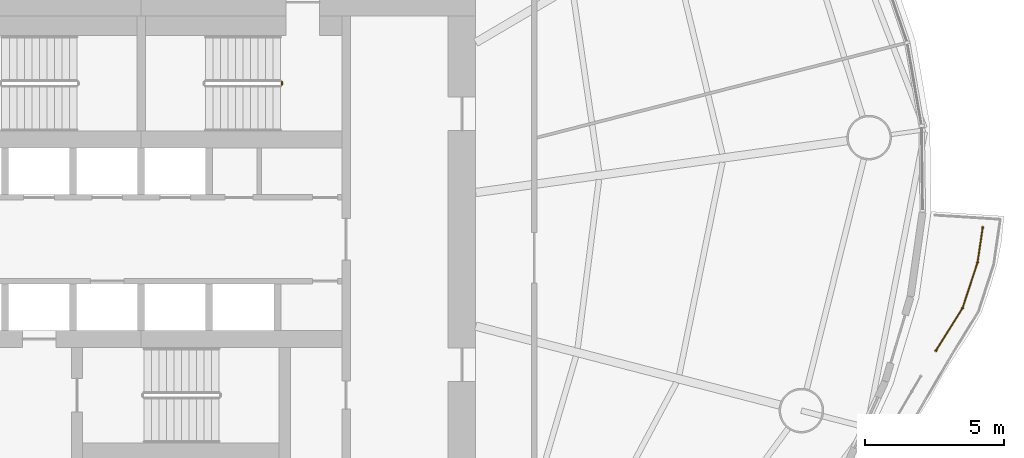
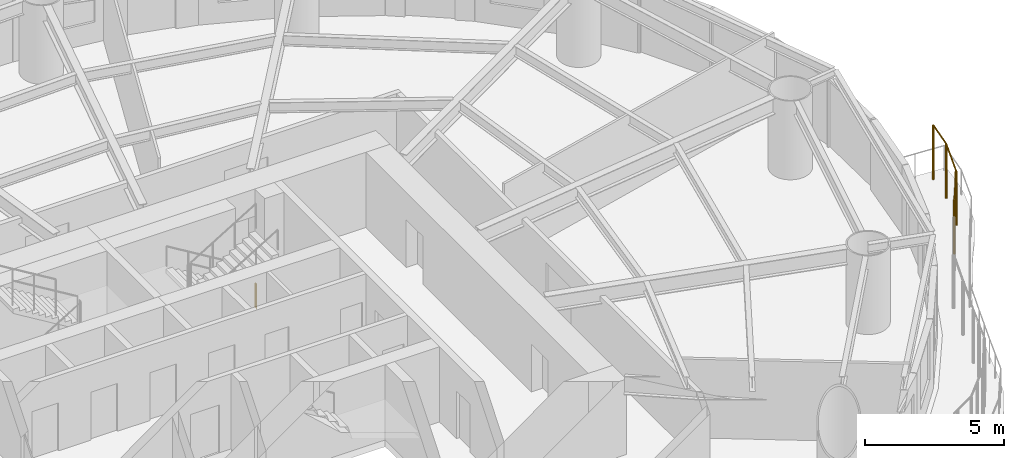
# One storey, part 15 of 17: 2 railings.
"""IFC4 building model written with IfcOpenShell, lengths in metres."""

import ifcopenshell
import ifcopenshell.guid

model = None  # the IFC model being written
_history = None  # IfcOwnerHistory: only IFC2X3 demands one
_inside = {}  # id of a spatial element -> (the spatial element, [elements in it])
_under = {}  # id of a project, library or spatial element -> (it, [spatial elements below it])
_declared = {}  # id of a project -> (the project, [libraries it declares])
_typed = {}  # id of a type object -> (the type object, [elements of that type])
_made_of = {}  # id of a material, layer set ... -> (it, [elements and type objects made of it])


def new_model(schema):
    """Start an empty IFC model of exactly this schema.

    Asked for "IFC4X3", IfcOpenShell would pick the latest addendum, in which some entities
    have other attributes; the version numbers below select the first issue.
    IFC2X3 requires an IfcOwnerHistory on every rooted entity: one is made here for all.
    """
    global model, _history
    if schema == "IFC4X3":
        model = ifcopenshell.file(schema_version=(4, 3, 0, 0))
    else:
        model = ifcopenshell.file(schema=schema)
    _inside.clear()
    _under.clear()
    _declared.clear()
    _typed.clear()
    _made_of.clear()
    _history = None
    if model.schema == "IFC2X3":
        org = make("IfcOrganization", Name="unknown")
        user = make(
            "IfcPersonAndOrganization",
            ThePerson=make("IfcPerson", FamilyName="unknown"),
            TheOrganization=org,
        )
        app = make(
            "IfcApplication",
            ApplicationDeveloper=org,
            Version="unknown",
            ApplicationFullName="unknown",
            ApplicationIdentifier="unknown",
        )
        _history = make(
            "IfcOwnerHistory",
            OwningUser=user,
            OwningApplication=app,
            ChangeAction="ADDED",
            CreationDate=0,
        )
    return model


def make(cls, **values):
    """One entity of the class cls with the attributes given. An attribute that is None is left unset."""
    return model.create_entity(
        cls, **{name: value for name, value in values.items() if value is not None}
    )


def rooted(cls, **values):
    """An entity with a GlobalId (a new one), such as an element, a storey or a relation."""
    return make(cls, GlobalId=ifcopenshell.guid.new(), OwnerHistory=_history, **values)


def si_unit(unit_type, name, prefix=None):
    """IfcSIUnit, for example si_unit("LENGTHUNIT", "METRE", prefix="MILLI")."""
    return make("IfcSIUnit", UnitType=unit_type, Prefix=prefix, Name=name)


def assignment(units):
    """IfcUnitAssignment: the units of a project."""
    return None if units is None else make("IfcUnitAssignment", Units=units)


def point(xyz):
    """IfcCartesianPoint."""
    return None if xyz is None else make("IfcCartesianPoint", Coordinates=xyz)


def direction(xyz):
    """IfcDirection."""
    return None if xyz is None else make("IfcDirection", DirectionRatios=xyz)


def frame(location, z_axis=None, x_axis=None):
    """IfcAxis2Placement3D, a coordinate frame: its origin and axes. An axis left out is left unset."""
    return make(
        "IfcAxis2Placement3D",
        Location=point(location),
        Axis=direction(z_axis),
        RefDirection=direction(x_axis),
    )


def frame_2d(location, x_axis=None):
    """IfcAxis2Placement2D, a coordinate frame in the plane: its origin and x axis."""
    return make(
        "IfcAxis2Placement2D", Location=point(location), RefDirection=direction(x_axis)
    )


def origin():
    """The frame at (0, 0, 0) with its axes left unset."""
    return frame((0.0, 0.0, 0.0))


def origin_2d():
    """The frame at (0, 0) in the plane with its x axis left unset."""
    return frame_2d((0.0, 0.0))


def place(relative_to, where):
    """IfcLocalPlacement: puts the frame where relative to a parent placement (None: the world)."""
    return make(
        "IfcLocalPlacement", PlacementRelTo=relative_to, RelativePlacement=where
    )


def context(
    kind, dimensions, precision=None, world=None, true_north=None, identifier=None
):
    """IfcGeometricRepresentationContext, for example the 3D "Model" context."""
    return make(
        "IfcGeometricRepresentationContext",
        ContextIdentifier=identifier,
        ContextType=kind,
        CoordinateSpaceDimension=dimensions,
        Precision=precision,
        WorldCoordinateSystem=world,
        TrueNorth=true_north,
    )


def subcontext(parent, identifier, kind, view, scale=None):
    """IfcGeometricRepresentationSubContext, for example "Body" below "Model"."""
    return make(
        "IfcGeometricRepresentationSubContext",
        ContextIdentifier=identifier,
        ContextType=kind,
        ParentContext=parent,
        TargetScale=scale,
        TargetView=view,
    )


def project(units=None, contexts=None):
    """IfcProject with its units and contexts."""
    return rooted(
        "IfcProject",
        Name="project",
        RepresentationContexts=contexts,
        UnitsInContext=assignment(units),
    )


def spatial(cls, under=None, at=None, **own):
    """A site, building, storey or space (cls), placed at a placement, below another one or the project."""
    s = rooted(cls, ObjectPlacement=at, **own)
    if under is not None:
        _under.setdefault(under.id(), (under, []))[1].append(s)
    return s


def profile(cls, at=None, kind="AREA", **sizes):
    """A parametric profile (cls). Its sizes go by their IFC names, for example OverallWidth=200.0."""
    return make(cls, ProfileType=kind, Position=at, **sizes)


def circle(**sizes):
    """IfcCircleProfileDef."""
    return profile("IfcCircleProfileDef", **sizes)


def extrude(swept, where, along, depth):
    """IfcExtrudedAreaSolid: the profile swept, set in the frame where, extruded along a direction by depth."""
    return make(
        "IfcExtrudedAreaSolid",
        SweptArea=swept,
        Position=where,
        ExtrudedDirection=direction(along),
        Depth=depth,
    )


def shape(context_of_items, identifier, shape_type, items):
    """IfcShapeRepresentation: the items that make up one representation, for example the "Body"."""
    return make(
        "IfcShapeRepresentation",
        ContextOfItems=context_of_items,
        RepresentationIdentifier=identifier,
        RepresentationType=shape_type,
        Items=items,
    )


def material(Name=None, Category=None):
    """IfcMaterial."""
    return make("IfcMaterial", Name=Name, Category=Category)


def made_of(thing, what):
    """Note that an element or type object is made of a material, layer set ...; save() writes the relation."""
    if what is not None:
        _made_of.setdefault(what.id(), (what, []))[1].append(thing)
    return thing


def type_object(cls, material=None, **own):
    """A type object (cls), such as IfcWallType, which elements share."""
    return made_of(rooted(cls, **own), material)


def element(
    cls,
    number,
    at=None,
    inside=None,
    cuts=None,
    type_object=None,
    material=None,
    context=None,
    identifier="Body",
    shape_type=None,
    held_by="IfcProductDefinitionShape",
    body=None,
    shapes=None,
    **own,
):
    """One element of the class cls, such as IfcWall. Its Tag is "e" and its number.

    at: its placement. inside: the storey or other place that contains it. cuts: it is an
    opening in that element (IfcRelVoidsElement). A single representation is given by context,
    identifier, shape_type and body (its items); several are given by shapes. held_by: the class
    of the entity that holds the representations. save() writes the other relations.
    """
    e = rooted(cls, Tag="e%d" % number, ObjectPlacement=at, **own)
    if body is not None:
        shapes = [shape(context, identifier, shape_type, body)]
    if shapes is not None:
        e.Representation = make(held_by, Representations=shapes)
    if inside is not None:
        _inside.setdefault(inside.id(), (inside, []))[1].append(e)
    if cuts is not None:
        rooted(
            "IfcRelVoidsElement", RelatingBuildingElement=cuts, RelatedOpeningElement=e
        )
    if type_object is not None:
        _typed.setdefault(type_object.id(), (type_object, []))[1].append(e)
    return made_of(e, material)


def aggregate(whole, parts):
    """IfcRelAggregates: a whole, such as a stair, and the parts it consists of."""
    return rooted("IfcRelAggregates", RelatingObject=whole, RelatedObjects=parts)


def save(model, path):
    """Write the relations noted so far, then the file.

    IfcRelAggregates (storeys below a building ...), IfcRelContainedInSpatialStructure (elements
    in a storey), IfcRelDefinesByType, IfcRelAssociatesMaterial and IfcRelDeclares: one each for
    every whole, place, type object, material and project.
    """
    for whole, parts in _under.values():
        aggregate(whole, parts)
    for where, things in _inside.values():
        rooted(
            "IfcRelContainedInSpatialStructure",
            RelatedElements=things,
            RelatingStructure=where,
        )
    for kind, things in _typed.values():
        rooted("IfcRelDefinesByType", RelatedObjects=things, RelatingType=kind)
    for what, things in _made_of.values():
        rooted("IfcRelAssociatesMaterial", RelatedObjects=things, RelatingMaterial=what)
    for by, libraries in _declared.values():
        rooted("IfcRelDeclares", RelatingContext=by, RelatedDefinitions=libraries)
    model.write(path)


model = new_model("IFC4")

# Units and contexts
model_context = context("Model", 3, precision=1e-05, world=origin(), true_north=direction((0.0, 1.0)))
body_context = subcontext(model_context, "Body", "Model", "MODEL_VIEW")
ifc_project = project(units=[si_unit("LENGTHUNIT", "METRE"), si_unit("AREAUNIT", "SQUARE_METRE"), si_unit("VOLUMEUNIT", "CUBIC_METRE"), si_unit("PLANEANGLEUNIT", "RADIAN"), si_unit("MASSUNIT", "GRAM", prefix="KILO")], contexts=[model_context])

# Site, building, storey
site_placement = place(None, origin())
site = spatial("IfcSite", under=ifc_project, at=site_placement, CompositionType="ELEMENT")
building_placement = place(site_placement, origin())
building = spatial("IfcBuilding", under=site, at=building_placement, Name="Vermilion Reach Broadcast Tower", CompositionType="ELEMENT")
storey_placement = place(building_placement, frame((0.0, 0.0, 92.199951171875)))
storey = spatial("IfcBuildingStorey", under=building, at=storey_placement, Name="L20", CompositionType="ELEMENT", Elevation=92.199951171875)

# Railings
ifc_material_1 = material(Name="Terracotta baguette", Category="masonry")
railing_type_1 = type_object("IfcRailingType", Name="BAGUETTE SCREEN", PredefinedType="USERDEFINED", material=ifc_material_1)
railing_1_placement = place(storey_placement, frame((22.5009765625, -3.99853515625, 0.0)))
element("IfcRailing", 1, at=railing_1_placement, inside=storey, type_object=railing_type_1, Name="Baguette screen L20 group 4 part 2", ObjectType="BAGUETTE SCREEN", PredefinedType="USERDEFINED", context=body_context, shape_type="SweptSolid", body=[
    extrude(circle(Radius=0.030029296875, at=origin_2d()), frame((0.0, 0.0, 2.369873046875), z_axis=(0.507692307692, 0.861538461538, 0.0), x_axis=(-0.861538461538, 0.507692307692, 0.0)), (0.0, 0.0, 1.0), 0.015869140625),
    extrude(circle(Radius=0.030029296875, at=origin_2d()), frame((0.008056640625, 0.013671875, 2.369873046875), z_axis=(0.530292769567, 0.847814589722, 0.0), x_axis=(-0.847814589722, 0.530292769567, 0.0)), (0.0, 0.0, 1.0), 1.792236328125),
    extrude(circle(Radius=0.030029296875, at=origin_2d()), frame((0.95849609375, 1.533203125, 2.369873046875), z_axis=(0.311968532776, 0.950092434744, 0.0), x_axis=(-0.950092434744, 0.311968532776, 0.0)), (0.0, 0.0, 1.0), 1.720947265625),
    extrude(circle(Radius=0.030029296875, at=origin_2d()), frame((1.495361328125, 3.168212890625, 2.369873046875), z_axis=(0.146708515276, 0.989179767052, 0.0), x_axis=(-0.989179767052, 0.146708515276, 0.0)), (0.0, 0.0, 1.0), 1.27294921875),
    extrude(circle(Radius=0.050048828125, at=origin_2d()), origin(), (0.0, 0.0, 1.0), 2.33984375),
    extrude(circle(Radius=0.050048828125, at=origin_2d()), frame((0.008056640625, 0.013671875, 0.0)), (0.0, 0.0, 1.0), 2.33984375),
    extrude(circle(Radius=0.050048828125, at=origin_2d()), frame((0.95849609375, 1.533203125, 0.0)), (0.0, 0.0, 1.0), 2.33984375),
    extrude(circle(Radius=0.050048828125, at=origin_2d()), frame((1.495361328125, 3.168212890625, 0.0)), (0.0, 0.0, 1.0), 2.33984375),
    extrude(circle(Radius=0.050048828125, at=origin_2d()), frame((1.68212890625, 4.427490234375, 0.0)), (0.0, 0.0, 1.0), 2.33984375),
])
ifc_material_2 = material(Name="Stainless steel", Category="steel")
railing_type_2 = type_object("IfcRailingType", Name="Stair guard 1100", PredefinedType="GUARDRAIL", material=ifc_material_2)
railing_2_placement = place(storey_placement, frame((-0.949951171875, 5.639892578125, 0.0)))
element("IfcRailing", 2, at=railing_2_placement, inside=storey, type_object=railing_type_2, Name="L20 ST2 stair guard 4", PredefinedType="GUARDRAIL", context=body_context, shape_type="SweptSolid", body=[
    extrude(circle(Radius=0.02392578125, at=origin_2d()), frame((0.0, 0.0, 1.076171875), z_axis=(0.0, -1.0, 0.0), x_axis=(1.0, 0.0, 0.0)), (0.0, 0.0, 1.0), 0.099853515625),
    extrude(circle(Radius=0.02099609375, at=origin_2d()), origin(), (0.0, 0.0, 1.0), 1.052001953125),
    extrude(circle(Radius=0.02099609375, at=origin_2d()), frame((0.0, -0.099853515625, 0.0)), (0.0, 0.0, 1.0), 1.052001953125),
])

save(model, "model.ifc")
